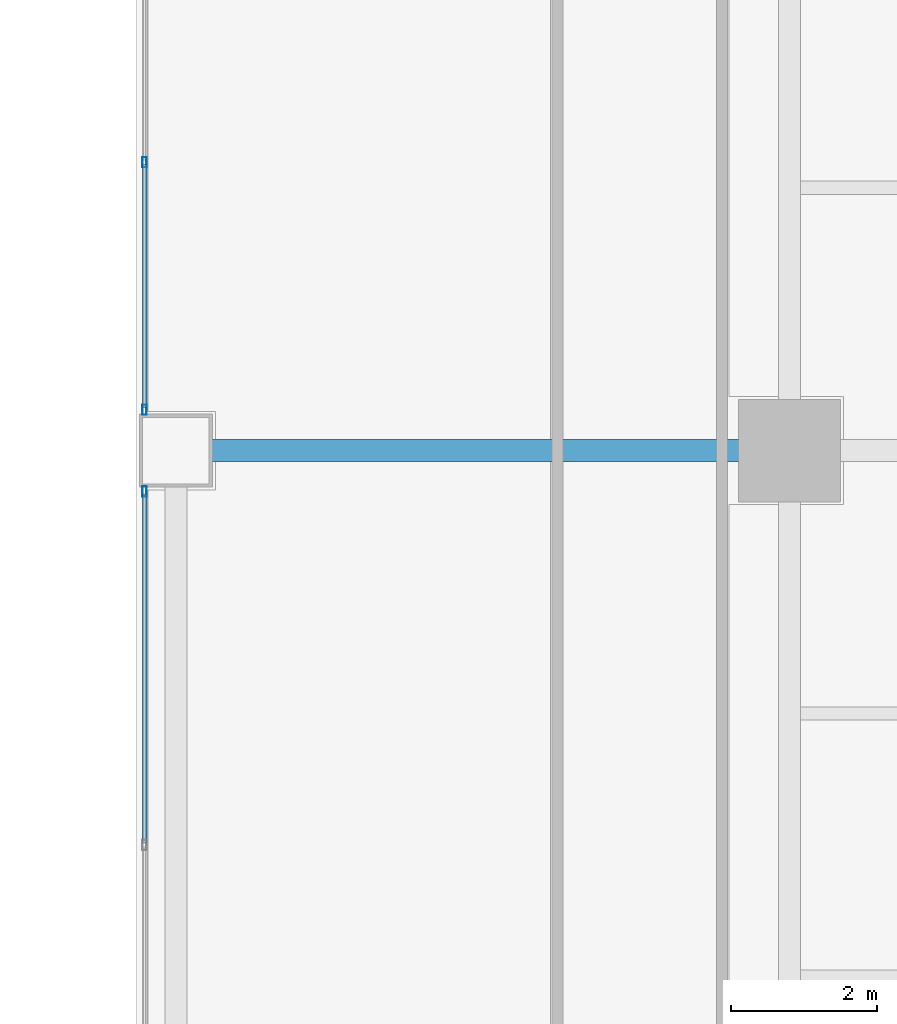
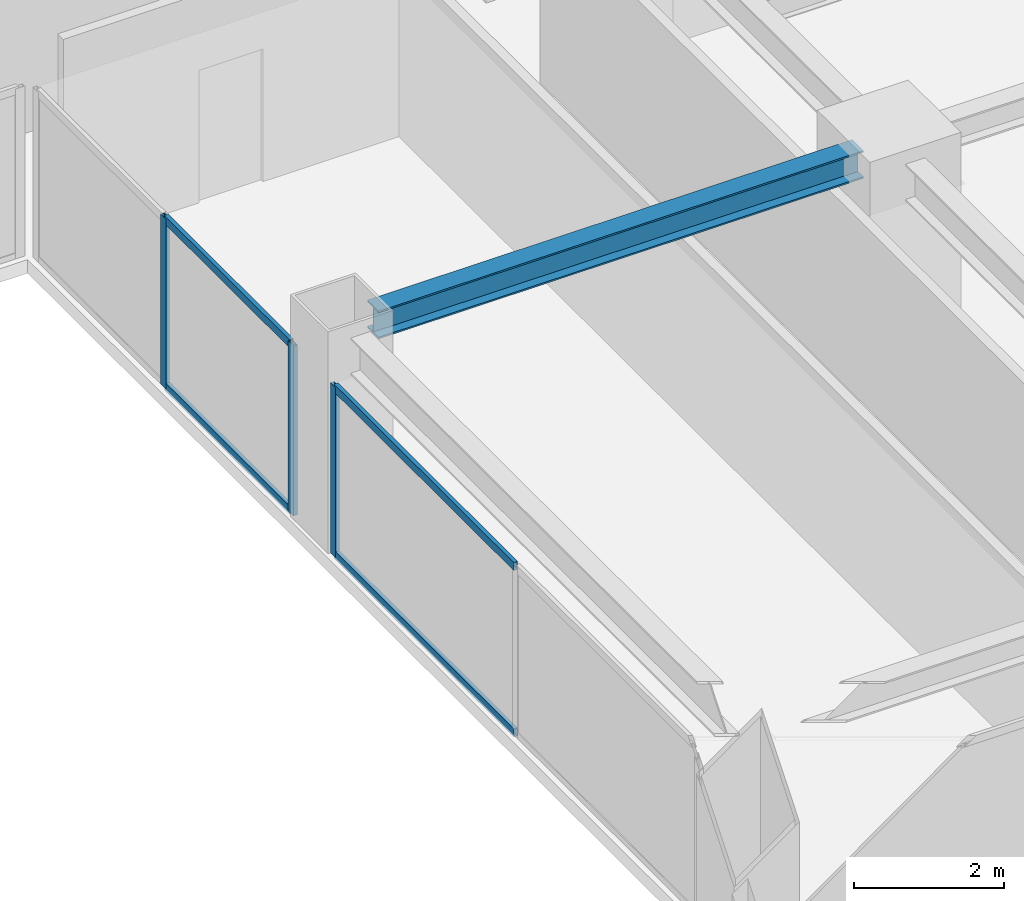
# One storey, part 14 of 28: 7 members, 1 beam, 2 elements without a shape of their own.
"""IFC4 building model written with IfcOpenShell, lengths in metres."""

from ifc_helpers import new_model, si_unit, direction, frame, origin, origin_2d, place, context, subcontext, project, spatial, hollow_rectangle, i_section, extrude, source, transform, mapped, material, layer, layer_set, material_profile, profile_set, type_object, element, aggregate, save


model = new_model("IFC4")

# Units and contexts
model_context = context("Model", 3, precision=1e-05, world=origin(), true_north=direction((0.0, 1.0)))
body_context = subcontext(model_context, "Body", "Model", "MODEL_VIEW")
ifc_project = project(units=[si_unit("LENGTHUNIT", "METRE"), si_unit("AREAUNIT", "SQUARE_METRE"), si_unit("VOLUMEUNIT", "CUBIC_METRE"), si_unit("PLANEANGLEUNIT", "RADIAN"), si_unit("MASSUNIT", "GRAM", prefix="KILO")], contexts=[model_context])

# Site, building, storey
site_placement = place(None, origin())
site = spatial("IfcSite", under=ifc_project, at=site_placement, CompositionType="ELEMENT")
building_placement = place(site_placement, origin())
building = spatial("IfcBuilding", under=site, at=building_placement, Name="Sumidabori Civic Tower", CompositionType="ELEMENT")
storey_placement = place(building_placement, frame((0.0, 0.0, 210.800048828125)))
storey = spatial("IfcBuildingStorey", under=building, at=storey_placement, Name="L54", CompositionType="ELEMENT", Elevation=210.800048828125)

# Beam
ifc_material_1 = material(Name="Steel SN490", Category="steel")
ifc_material_profile_1 = material_profile(ifc_material_1, i_section(OverallWidth=0.300048828125, OverallDepth=0.449951171875, WebThickness=0.013916015625, FlangeThickness=0.02587890625, at=origin_2d()), Name="HE 450 B")
ifc_profile_set_1 = profile_set([ifc_material_profile_1], Name="Steel SN490")
beam_type = type_object("IfcBeamType", Name="BM-GIRD-450", PredefinedType="BEAM", material=ifc_profile_set_1)
shared_shape_1 = source(origin(), body_context, "Body", "SweptSolid", [
    extrude(i_section(OverallWidth=0.300048828125, OverallDepth=0.449951171875, WebThickness=0.013916015625, FlangeThickness=0.02587890625, at=origin_2d()), origin(), (0.0, 0.0, 1.0), 7.440185546875),
])
beam_placement = place(storey_placement, frame((8.8798828125, 0.0, 3.155029296875), z_axis=(1.0, 0.0, 0.0), x_axis=(0.0, 1.0, 0.0)))
element("IfcBeam", 1, at=beam_placement, inside=storey, type_object=beam_type, Name="Primary Girder L54 GX-07", PredefinedType="BEAM", context=body_context, shape_type="MappedRepresentation", body=[
    mapped(shared_shape_1, transform((0.0, 0.0, 0.0), x_axis=(1.0, 0.0, 0.0), y_axis=(0.0, 1.0, 0.0), z_axis=(0.0, 0.0, 1.0), scale=1.0)),
])

# Curtain wall, members
ifc_material_2 = material(Name="Anodised Bronze Aluminium AW-6063-T6", Category="aluminium")
ifc_layer = layer(ifc_material_2, 0.179931640625, Name="Anodised Bronze Aluminium AW-6063-T6")
ifc_layer_set = layer_set([ifc_layer], Name="Anodised Bronze Aluminium AW-6063-T6")
curtain_wall_type = type_object("IfcCurtainWallType", Name="CW-SYS-4", PredefinedType="NOTDEFINED", material=ifc_layer_set)
curtain_wall_1_placement = place(storey_placement, origin())
curtain_wall_1 = element("IfcCurtainWall", 2, at=curtain_wall_1_placement, inside=storey, type_object=curtain_wall_type, Name="Curtain Wall CW:L54:R06", PredefinedType="NOTDEFINED")
ifc_material_profile_2 = material_profile(ifc_material_2, hollow_rectangle(XDim=0.06005859375, YDim=0.139892578125, WallThickness=0.0048828125, at=origin_2d()), Name="ALU MULLION 140x60")
ifc_profile_set_2 = profile_set([ifc_material_profile_2], Name="Anodised Bronze Aluminium AW-6063-T6")
member_type_1 = type_object("IfcMemberType", Name="CW-MUL-140", PredefinedType="MULLION", material=ifc_profile_set_2)
shared_shape_2 = source(origin(), body_context, "Body", "SweptSolid", [
    extrude(hollow_rectangle(XDim=0.06005859375, YDim=0.139892578125, WallThickness=0.0048828125, at=origin_2d()), origin(), (0.0, 0.0, 1.0), 2.760009765625),
])
member_1_placement = place(storey_placement, frame((7.969970703125, 3.949951171875, 0.0), z_axis=(0.0, 0.0, 1.0), x_axis=(1.0, 0.0, 0.0)))
member_1 = element("IfcMember", 3, at=member_1_placement, type_object=member_type_1, Name="CW-4 mullion 2", PredefinedType="MULLION", context=body_context, shape_type="MappedRepresentation", body=[
    mapped(shared_shape_2, transform((0.0, 0.0, 0.0), x_axis=(1.0, 0.0, 0.0), y_axis=(0.0, 1.0, 0.0), z_axis=(0.0, 0.0, 1.0), scale=1.0)),
])
member_2_placement = place(storey_placement, frame((7.969970703125, 0.56005859375, 0.0), z_axis=(0.0, 0.0, 1.0), x_axis=(1.0, 0.0, 0.0)))
member_2 = element("IfcMember", 4, at=member_2_placement, type_object=member_type_1, Name="CW-4 mullion 3", PredefinedType="MULLION", context=body_context, shape_type="MappedRepresentation", body=[
    mapped(shared_shape_2, transform((0.0, 0.0, 0.0), x_axis=(1.0, 0.0, 0.0), y_axis=(0.0, 1.0, 0.0), z_axis=(0.0, 0.0, 1.0), scale=1.0)),
])

curtain_wall_2_placement = place(storey_placement, origin())
curtain_wall_2 = element("IfcCurtainWall", 5, at=curtain_wall_2_placement, inside=storey, type_object=curtain_wall_type, Name="Curtain Wall CW:L54:R07", PredefinedType="NOTDEFINED")
member_3_placement = place(storey_placement, frame((7.969970703125, -0.56005859375, 0.0), z_axis=(0.0, 0.0, 1.0), x_axis=(1.0, 0.0, 0.0)))
member_3 = element("IfcMember", 6, at=member_3_placement, type_object=member_type_1, Name="CW-4 mullion 1", PredefinedType="MULLION", context=body_context, shape_type="MappedRepresentation", body=[
    mapped(shared_shape_2, transform((0.0, 0.0, 0.0), x_axis=(1.0, 0.0, 0.0), y_axis=(0.0, 1.0, 0.0), z_axis=(0.0, 0.0, 1.0), scale=1.0)),
])
ifc_material_profile_3 = material_profile(ifc_material_2, hollow_rectangle(XDim=0.06005859375, YDim=0.1298828125, WallThickness=0.0048828125, at=origin_2d()), Name="ALU TRANSOM 130x60")
ifc_profile_set_3 = profile_set([ifc_material_profile_3], Name="Anodised Bronze Aluminium AW-6063-T6")
member_type_2 = type_object("IfcMemberType", Name="CW-TRN-130", PredefinedType="USERDEFINED", material=ifc_profile_set_3)
shared_shape_3 = source(origin(), body_context, "Body", "SweptSolid", [
    extrude(hollow_rectangle(XDim=0.06005859375, YDim=0.1298828125, WallThickness=0.0048828125, at=origin_2d()), origin(), (0.0, 0.0, 1.0), 4.780029296875),
])
member_4_placement = place(storey_placement, frame((7.969970703125, -0.590087890625, 0.030029296875), z_axis=(0.0, -1.0, 0.0), x_axis=(1.0, 0.0, 0.0)))
member_4 = element("IfcMember", 7, at=member_4_placement, type_object=member_type_2, Name="CW-4 transom 1.1", ObjectType="TRANSOM", PredefinedType="USERDEFINED", context=body_context, shape_type="MappedRepresentation", body=[
    mapped(shared_shape_3, transform((0.0, 0.0, 0.0), x_axis=(1.0, 0.0, 0.0), y_axis=(0.0, 1.0, 0.0), z_axis=(0.0, 0.0, 1.0), scale=1.0)),
])
member_5_placement = place(storey_placement, frame((7.969970703125, -0.590087890625, 2.72998046875), z_axis=(0.0, -1.0, 0.0), x_axis=(1.0, 0.0, 0.0)))
member_5 = element("IfcMember", 8, at=member_5_placement, type_object=member_type_2, Name="CW-4 transom 1.2", ObjectType="TRANSOM", PredefinedType="USERDEFINED", context=body_context, shape_type="MappedRepresentation", body=[
    mapped(shared_shape_3, transform((0.0, 0.0, 0.0), x_axis=(1.0, 0.0, 0.0), y_axis=(0.0, 1.0, 0.0), z_axis=(0.0, 0.0, 1.0), scale=1.0)),
])
aggregate(curtain_wall_2, [member_3, member_4, member_5])

# Member
shared_shape_4 = source(origin(), body_context, "Body", "SweptSolid", [
    extrude(hollow_rectangle(XDim=0.06005859375, YDim=0.1298828125, WallThickness=0.0048828125, at=origin_2d()), origin(), (0.0, 0.0, 1.0), 3.329833984375),
])
member_6_placement = place(storey_placement, frame((7.969970703125, 3.919921875, 0.030029296875), z_axis=(0.0, -1.0, 0.0), x_axis=(1.0, 0.0, 0.0)))
member_6 = element("IfcMember", 9, at=member_6_placement, type_object=member_type_2, Name="CW-4 transom 2.1", ObjectType="TRANSOM", PredefinedType="USERDEFINED", context=body_context, shape_type="MappedRepresentation", body=[
    mapped(shared_shape_4, transform((0.0, 0.0, 0.0), x_axis=(1.0, 0.0, 0.0), y_axis=(0.0, 1.0, 0.0), z_axis=(0.0, 0.0, 1.0), scale=1.0)),
])

member_7_placement = place(storey_placement, frame((7.969970703125, 3.919921875, 2.72998046875), z_axis=(0.0, -1.0, 0.0), x_axis=(1.0, 0.0, 0.0)))
member_7 = element("IfcMember", 10, at=member_7_placement, type_object=member_type_2, Name="CW-4 transom 2.2", ObjectType="TRANSOM", PredefinedType="USERDEFINED", context=body_context, shape_type="MappedRepresentation", body=[
    mapped(shared_shape_4, transform((0.0, 0.0, 0.0), x_axis=(1.0, 0.0, 0.0), y_axis=(0.0, 1.0, 0.0), z_axis=(0.0, 0.0, 1.0), scale=1.0)),
])

aggregate(curtain_wall_1, [member_1, member_2, member_6, member_7])

save(model, "model.ifc")
